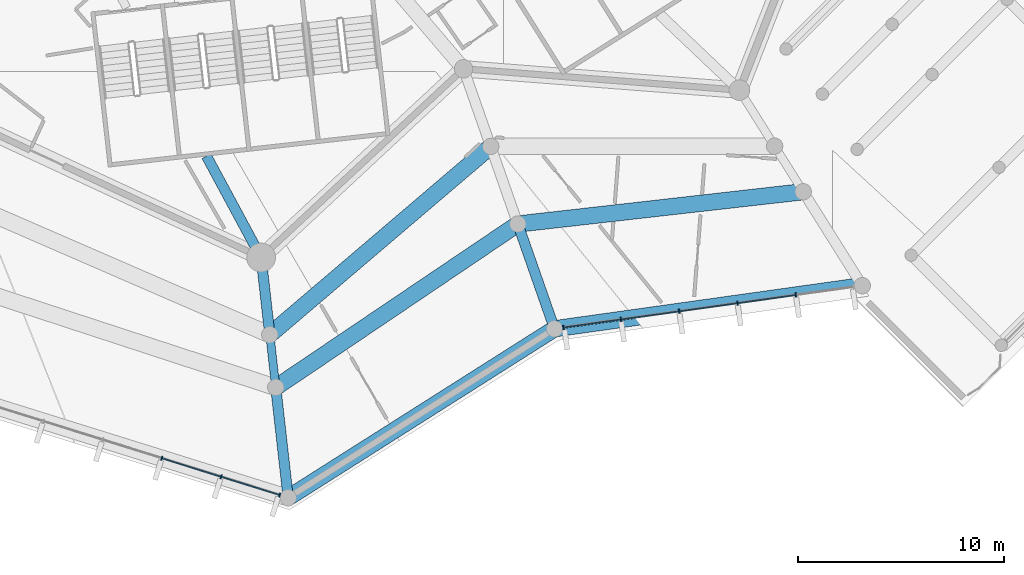
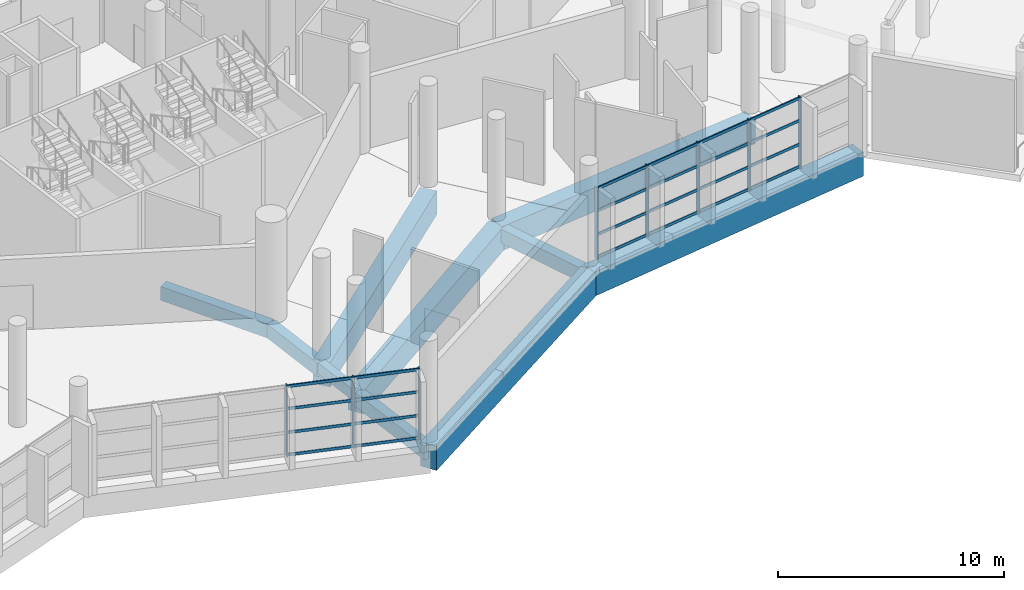
# One storey, part 42 of 271: 32 members, 10 beams, 2 elements without a shape of their own.
"""IFC4 building model written with IfcOpenShell, lengths in metres."""

from ifc_helpers import new_model, si_unit, direction, frame, origin, origin_2d, place, context, subcontext, project, spatial, rectangle, extrude, material, layer, layer_set, material_profile, profile_set, type_object, element, aggregate, save


model = new_model("IFC4")

# Units and contexts
model_context = context("Model", 3, precision=1e-05, world=origin(), true_north=direction((0.0, 1.0)))
body_context = subcontext(model_context, "Body", "Model", "MODEL_VIEW")
ifc_project = project(units=[si_unit("LENGTHUNIT", "METRE"), si_unit("AREAUNIT", "SQUARE_METRE"), si_unit("VOLUMEUNIT", "CUBIC_METRE"), si_unit("PLANEANGLEUNIT", "RADIAN"), si_unit("MASSUNIT", "GRAM", prefix="KILO")], contexts=[model_context])

# Site, building, storey
site_placement = place(None, origin())
site = spatial("IfcSite", under=ifc_project, at=site_placement, CompositionType="ELEMENT")
building_placement = place(site_placement, origin())
building = spatial("IfcBuilding", under=site, at=building_placement, Name="Meseta Stadium", CompositionType="ELEMENT")
storey_placement = place(building_placement, frame((0.0, 0.0, 6.5)))
storey = spatial("IfcBuildingStorey", under=building, at=storey_placement, Name="L01", CompositionType="ELEMENT", Elevation=6.5)

# Beams
ifc_material_1 = material(Name="Concrete C40/50", Category="concrete")
ifc_material_profile_1 = material_profile(ifc_material_1, rectangle(XDim=0.39990234375, YDim=0.60009765625, at=origin_2d()), Name="RC 400x600")
ifc_profile_set_1 = profile_set([ifc_material_profile_1], Name="Concrete C40/50")
beam_type_1 = type_object("IfcBeamType", Name="RC beam 400x600", PredefinedType="BEAM", material=ifc_profile_set_1)
beam_1_placement = place(storey_placement, frame((52.626220703125, -108.80810546875, -0.64990234375), z_axis=(0.111926742176, -0.99371646076, 0.0), x_axis=(0.99371646076, 0.111926742176, 0.0)))
element("IfcBeam", 1, at=beam_1_placement, inside=storey, type_object=beam_type_1, Name="L01 radial beam frame 50 line M to Q", PredefinedType="BEAM", context=body_context, shape_type="SweptSolid", body=[
    extrude(rectangle(XDim=0.39990234375, YDim=0.60009765625, at=origin_2d()), origin(), (0.0, 0.0, 1.0), 2.580322265625),
])
ifc_material_2 = material(Name="Concrete C40/50", Category="concrete")
ifc_material_profile_2 = material_profile(ifc_material_2, rectangle(XDim=0.5, YDim=0.75, at=origin_2d()), Name="RC 500x750")
ifc_profile_set_2 = profile_set([ifc_material_profile_2], Name="Concrete C40/50")
beam_type_2 = type_object("IfcBeamType", Name="RC beam 500x750", PredefinedType="BEAM", material=ifc_profile_set_2)
beam_2_placement = place(storey_placement, frame((49.54541015625, -100.1181640625, -0.72509765625), z_axis=(0.474227121741, -0.880402542594, 0.0), x_axis=(0.880402542594, 0.474227121741, 0.0)))
element("IfcBeam", 2, at=beam_2_placement, inside=storey, type_object=beam_type_2, Name="L01 radial beam frame 50 line P to R", PredefinedType="BEAM", context=body_context, shape_type="SweptSolid", body=[
    extrude(rectangle(XDim=0.5, YDim=0.75, at=origin_2d()), origin(), (0.0, 0.0, 1.0), 5.603759765625),
])
beam_3_placement = place(storey_placement, frame((52.202880859375, -105.0517578125, -0.72509765625), z_axis=(0.111990888536, -0.993709233571, 0.0), x_axis=(0.993709233571, 0.111990888536, 0.0)))
element("IfcBeam", 3, at=beam_3_placement, inside=storey, type_object=beam_type_2, Name="L01 radial beam frame 50 line R to M", PredefinedType="BEAM", context=body_context, shape_type="SweptSolid", body=[
    extrude(rectangle(XDim=0.5, YDim=0.75, at=origin_2d()), origin(), (0.0, 0.0, 1.0), 3.780029296875),
])
for number, where, z_axis, x_axis, name in (
    (4, (52.9150390625, -111.372314453125, -0.72509765625), (0.111944897098, -0.993714415722, 0.0), (0.993714415722, 0.111944897098, 0.0), "L01 radial beam frame 50 line Q to O"),
    (5, (64.69384765625, -103.423828125, -0.72509765625), (0.330271882003, -0.943885842652, 0.0), (0.943885842652, 0.330271882003, 0.0), "L01 radial beam frame 51 line Q to O"),
):
    element("IfcBeam", number, at=place(storey_placement, frame(where, z_axis=z_axis, x_axis=x_axis)), inside=storey, type_object=beam_type_2, Name=name, PredefinedType="BEAM", context=body_context, shape_type="SweptSolid", body=[
        extrude(rectangle(XDim=0.5, YDim=0.75, at=origin_2d()), origin(), (0.0, 0.0, 1.0), 5.39990234375),
    ])
ifc_material_3 = material(Name="Concrete C40/50", Category="concrete")
ifc_material_profile_3 = material_profile(ifc_material_3, rectangle(XDim=0.800048828125, YDim=1.300048828125, at=origin_2d()), Name="RC 800x1300")
ifc_profile_set_3 = profile_set([ifc_material_profile_3], Name="Concrete C40/50")
beam_type_3 = type_object("IfcBeamType", Name="RC beam 800x1300", PredefinedType="BEAM", material=ifc_profile_set_3)
beam_4_placement = place(storey_placement, frame((52.626220703125, -108.80810546875, -1.0), z_axis=(0.761053850743, 0.648688705212, 0.0), x_axis=(-0.648688705212, 0.761053850743, 0.0)))
element("IfcBeam", 6, at=beam_4_placement, inside=storey, type_object=beam_type_3, Name="L01 ring beam frame 50 line M", PredefinedType="BEAM", context=body_context, shape_type="SweptSolid", body=[
    extrude(rectangle(XDim=0.800048828125, YDim=1.300048828125, at=origin_2d()), origin(), (0.0, 0.0, 1.0), 14.12060546875),
])
beam_5_placement = place(storey_placement, frame((52.9150390625, -111.372314453125, -1.0), z_axis=(0.828920770395, 0.559366030795, 0.0), x_axis=(-0.559366030795, 0.828920770395, 0.0)))
element("IfcBeam", 7, at=beam_5_placement, inside=storey, type_object=beam_type_3, Name="L01 ring beam frame 50 line Q", PredefinedType="BEAM", context=body_context, shape_type="SweptSolid", body=[
    extrude(rectangle(XDim=0.800048828125, YDim=1.300048828125, at=origin_2d()), origin(), (0.0, 0.0, 1.0), 14.209716796875),
])
beam_6_placement = place(storey_placement, frame((53.51953125, -116.73828125, -1.0), z_axis=(0.844496467493, 0.535561122927, 0.0), x_axis=(-0.535561122927, 0.844496467493, 0.0)))
element("IfcBeam", 8, at=beam_6_placement, inside=storey, type_object=beam_type_3, Name="L01 ring beam frame 50 line O", PredefinedType="BEAM", context=body_context, shape_type="SweptSolid", body=[
    extrude(rectangle(XDim=0.800048828125, YDim=1.300048828125, at=origin_2d()), origin(), (0.0, 0.0, 1.0), 15.34375),
])
beam_7_placement = place(storey_placement, frame((64.69384765625, -103.423828125, -1.0), z_axis=(0.993653668283, 0.112482832054, 0.0), x_axis=(-0.112482832054, 0.993653668283, 0.0)))
element("IfcBeam", 9, at=beam_7_placement, inside=storey, type_object=beam_type_3, Name="L01 ring beam frame 51 line Q", PredefinedType="BEAM", context=body_context, shape_type="SweptSolid", body=[
    extrude(rectangle(XDim=0.800048828125, YDim=1.300048828125, at=origin_2d()), origin(), (0.0, 0.0, 1.0), 13.9755859375),
])
beam_8_placement = place(storey_placement, frame((66.477294921875, -108.520751953125, -1.0), z_axis=(0.990344007641, 0.138631693814, 0.0), x_axis=(-0.138631693814, 0.990344007641, 0.0)))
element("IfcBeam", 10, at=beam_8_placement, inside=storey, type_object=beam_type_3, Name="L01 ring beam frame 51 line O", PredefinedType="BEAM", context=body_context, shape_type="SweptSolid", body=[
    extrude(rectangle(XDim=0.800048828125, YDim=1.300048828125, at=origin_2d()), origin(), (0.0, 0.0, 1.0), 15.122314453125),
])

# Curtain wall, members
ifc_material_4 = material(Name="Aluminium", Category="aluminium")
ifc_layer = layer(ifc_material_4, 0.199951171875)
ifc_layer_set = layer_set([ifc_layer], Name="Ring shopfront curtain wall")
curtain_wall_type = type_object("IfcCurtainWallType", Name="Ring shopfront curtain wall", PredefinedType="NOTDEFINED", material=ifc_layer_set)
curtain_wall_1_placement = place(storey_placement, origin())
curtain_wall_1 = element("IfcCurtainWall", 11, at=curtain_wall_1_placement, inside=storey, type_object=curtain_wall_type, Name="Ring glazing L01 F49", PredefinedType="NOTDEFINED")
ifc_material_5 = material(Name="Aluminium", Category="aluminium")
ifc_material_profile_4 = material_profile(ifc_material_5, rectangle(XDim=0.199951171875, YDim=0.06005859375, at=origin_2d()), Name="CW 200x60")
ifc_profile_set_4 = profile_set([ifc_material_profile_4], Name="Aluminium")
member_type_1 = type_object("IfcMemberType", Name="Ring CW mullion 60x200", PredefinedType="MULLION", material=ifc_profile_set_4)
member_1_placement = place(storey_placement, frame((47.36865234375, -114.8193359375, 0.0), z_axis=(0.0, 0.0, 1.0), x_axis=(0.297861157885, 0.95460920309, 0.0)))
member_1 = element("IfcMember", 12, at=member_1_placement, type_object=member_type_1, Name="CWR1 mullion 4", PredefinedType="MULLION", context=body_context, shape_type="SweptSolid", body=[
    extrude(rectangle(XDim=0.199951171875, YDim=0.06005859375, at=origin_2d()), origin(), (0.0, 0.0, 1.0), 3.85009765625),
])
member_2_placement = place(storey_placement, frame((50.253173828125, -115.71923828125, 0.0), z_axis=(0.0, 0.0, 1.0), x_axis=(0.297861157885, 0.95460920309, 0.0)))
member_2 = element("IfcMember", 13, at=member_2_placement, type_object=member_type_1, Name="CWR1 mullion 5", PredefinedType="MULLION", context=body_context, shape_type="SweptSolid", body=[
    extrude(rectangle(XDim=0.199951171875, YDim=0.06005859375, at=origin_2d()), origin(), (0.0, 0.0, 1.0), 3.85009765625),
])
member_3_placement = place(storey_placement, frame((53.109130859375, -116.6103515625, 0.0), z_axis=(0.0, 0.0, 1.0), x_axis=(0.297861157885, 0.95460920309, 0.0)))
member_3 = element("IfcMember", 14, at=member_3_placement, type_object=member_type_1, Name="CWR1 mullion 6", PredefinedType="MULLION", context=body_context, shape_type="SweptSolid", body=[
    extrude(rectangle(XDim=0.199951171875, YDim=0.06005859375, at=origin_2d()), origin(), (0.0, 0.0, 1.0), 3.85009765625),
])

curtain_wall_2_placement = place(storey_placement, origin())
curtain_wall_2 = element("IfcCurtainWall", 15, at=curtain_wall_2_placement, inside=storey, type_object=curtain_wall_type, Name="Ring glazing L01 F51", PredefinedType="NOTDEFINED")
member_4_placement = place(storey_placement, frame((66.903076171875, -108.461181640625, 0.0), z_axis=(0.0, 0.0, 1.0), x_axis=(-0.13864277713, 0.990342456098, 0.0)))
member_4 = element("IfcMember", 16, at=member_4_placement, type_object=member_type_1, Name="CWR1 mullion 1", PredefinedType="MULLION", context=body_context, shape_type="SweptSolid", body=[
    extrude(rectangle(XDim=0.199951171875, YDim=0.06005859375, at=origin_2d()), origin(), (0.0, 0.0, 1.0), 3.85009765625),
])
member_5_placement = place(storey_placement, frame((69.710205078125, -108.068115234375, 0.0), z_axis=(0.0, 0.0, 1.0), x_axis=(-0.13864277713, 0.990342456098, 0.0)))
member_5 = element("IfcMember", 17, at=member_5_placement, type_object=member_type_1, Name="CWR1 mullion 2", PredefinedType="MULLION", context=body_context, shape_type="SweptSolid", body=[
    extrude(rectangle(XDim=0.199951171875, YDim=0.06005859375, at=origin_2d()), origin(), (0.0, 0.0, 1.0), 3.85009765625),
])
member_6_placement = place(storey_placement, frame((72.547119140625, -107.6708984375, 0.0), z_axis=(0.0, 0.0, 1.0), x_axis=(-0.13864277713, 0.990342456098, 0.0)))
member_6 = element("IfcMember", 18, at=member_6_placement, type_object=member_type_1, Name="CWR1 mullion 3", PredefinedType="MULLION", context=body_context, shape_type="SweptSolid", body=[
    extrude(rectangle(XDim=0.199951171875, YDim=0.06005859375, at=origin_2d()), origin(), (0.0, 0.0, 1.0), 3.85009765625),
])
member_7_placement = place(storey_placement, frame((75.3837890625, -107.27392578125, 0.0), z_axis=(0.0, 0.0, 1.0), x_axis=(-0.13864277713, 0.990342456098, 0.0)))
member_7 = element("IfcMember", 19, at=member_7_placement, type_object=member_type_1, Name="CWR1 mullion 4", PredefinedType="MULLION", context=body_context, shape_type="SweptSolid", body=[
    extrude(rectangle(XDim=0.199951171875, YDim=0.06005859375, at=origin_2d()), origin(), (0.0, 0.0, 1.0), 3.85009765625),
])
member_8_placement = place(storey_placement, frame((78.220703125, -106.876708984375, 0.0), z_axis=(0.0, 0.0, 1.0), x_axis=(-0.13864277713, 0.990342456098, 0.0)))
member_8 = element("IfcMember", 20, at=member_8_placement, type_object=member_type_1, Name="CWR1 mullion 5", PredefinedType="MULLION", context=body_context, shape_type="SweptSolid", body=[
    extrude(rectangle(XDim=0.199951171875, YDim=0.06005859375, at=origin_2d()), origin(), (0.0, 0.0, 1.0), 3.85009765625),
])

# Member
ifc_material_6 = material(Name="Aluminium", Category="aluminium")
ifc_material_profile_5 = material_profile(ifc_material_6, rectangle(XDim=0.06005859375, YDim=0.14990234375, at=origin_2d()), Name="CW 60x150")
ifc_profile_set_5 = profile_set([ifc_material_profile_5], Name="Aluminium")
member_type_2 = type_object("IfcMemberType", Name="Ring CW transom 60x150", PredefinedType="USERDEFINED", material=ifc_profile_set_5)
member_9_placement = place(storey_placement, frame((47.3974609375, -114.828125, 0.074951171875), z_axis=(0.954614829799, -0.297843124358, 0.0), x_axis=(0.297843124358, 0.954614829799, 0.0)))
member_9 = element("IfcMember", 21, at=member_9_placement, type_object=member_type_2, Name="CWR1 transom 4.1", ObjectType="TRANSOM", PredefinedType="USERDEFINED", context=body_context, shape_type="SweptSolid", body=[
    extrude(rectangle(XDim=0.06005859375, YDim=0.14990234375, at=origin_2d()), origin(), (0.0, 0.0, 1.0), 2.961669921875),
])

member_10_placement = place(storey_placement, frame((47.3974609375, -114.828125, 1.283447265625), z_axis=(0.954614829799, -0.297843124358, 0.0), x_axis=(0.297843124358, 0.954614829799, 0.0)))
member_10 = element("IfcMember", 22, at=member_10_placement, type_object=member_type_2, Name="CWR1 transom 4.2", ObjectType="TRANSOM", PredefinedType="USERDEFINED", context=body_context, shape_type="SweptSolid", body=[
    extrude(rectangle(XDim=0.06005859375, YDim=0.14990234375, at=origin_2d()), origin(), (0.0, 0.0, 1.0), 2.961669921875),
])

member_11_placement = place(storey_placement, frame((47.3974609375, -114.828125, 2.566650390625), z_axis=(0.954614829799, -0.297843124358, 0.0), x_axis=(0.297843124358, 0.954614829799, 0.0)))
member_11 = element("IfcMember", 23, at=member_11_placement, type_object=member_type_2, Name="CWR1 transom 4.3", ObjectType="TRANSOM", PredefinedType="USERDEFINED", context=body_context, shape_type="SweptSolid", body=[
    extrude(rectangle(XDim=0.06005859375, YDim=0.14990234375, at=origin_2d()), origin(), (0.0, 0.0, 1.0), 2.961669921875),
])

member_12_placement = place(storey_placement, frame((47.3974609375, -114.828125, 3.77490234375), z_axis=(0.954614829799, -0.297843124358, 0.0), x_axis=(0.297843124358, 0.954614829799, 0.0)))
member_12 = element("IfcMember", 24, at=member_12_placement, type_object=member_type_2, Name="CWR1 transom 4.4", ObjectType="TRANSOM", PredefinedType="USERDEFINED", context=body_context, shape_type="SweptSolid", body=[
    extrude(rectangle(XDim=0.06005859375, YDim=0.14990234375, at=origin_2d()), origin(), (0.0, 0.0, 1.0), 2.961669921875),
])

member_13_placement = place(storey_placement, frame((50.281982421875, -115.728271484375, 0.074951171875), z_axis=(0.954626563938, -0.297805512749, 0.0), x_axis=(0.297805512749, 0.954626563938, 0.0)))
member_13 = element("IfcMember", 25, at=member_13_placement, type_object=member_type_2, Name="CWR1 transom 5.1", ObjectType="TRANSOM", PredefinedType="USERDEFINED", context=body_context, shape_type="SweptSolid", body=[
    extrude(rectangle(XDim=0.06005859375, YDim=0.14990234375, at=origin_2d()), origin(), (0.0, 0.0, 1.0), 2.931640625),
])

member_14_placement = place(storey_placement, frame((50.281982421875, -115.728271484375, 1.283447265625), z_axis=(0.954626563938, -0.297805512749, 0.0), x_axis=(0.297805512749, 0.954626563938, 0.0)))
member_14 = element("IfcMember", 26, at=member_14_placement, type_object=member_type_2, Name="CWR1 transom 5.2", ObjectType="TRANSOM", PredefinedType="USERDEFINED", context=body_context, shape_type="SweptSolid", body=[
    extrude(rectangle(XDim=0.06005859375, YDim=0.14990234375, at=origin_2d()), origin(), (0.0, 0.0, 1.0), 2.931640625),
])

member_15_placement = place(storey_placement, frame((50.281982421875, -115.728271484375, 2.566650390625), z_axis=(0.954626563938, -0.297805512749, 0.0), x_axis=(0.297805512749, 0.954626563938, 0.0)))
member_15 = element("IfcMember", 27, at=member_15_placement, type_object=member_type_2, Name="CWR1 transom 5.3", ObjectType="TRANSOM", PredefinedType="USERDEFINED", context=body_context, shape_type="SweptSolid", body=[
    extrude(rectangle(XDim=0.06005859375, YDim=0.14990234375, at=origin_2d()), origin(), (0.0, 0.0, 1.0), 2.931640625),
])

member_16_placement = place(storey_placement, frame((50.281982421875, -115.728271484375, 3.77490234375), z_axis=(0.954626563938, -0.297805512749, 0.0), x_axis=(0.297805512749, 0.954626563938, 0.0)))
member_16 = element("IfcMember", 28, at=member_16_placement, type_object=member_type_2, Name="CWR1 transom 5.4", ObjectType="TRANSOM", PredefinedType="USERDEFINED", context=body_context, shape_type="SweptSolid", body=[
    extrude(rectangle(XDim=0.06005859375, YDim=0.14990234375, at=origin_2d()), origin(), (0.0, 0.0, 1.0), 2.931640625),
])

aggregate(curtain_wall_1, [member_1, member_2, member_3, member_9, member_10, member_11, member_12, member_13, member_14, member_15, member_16])

member_17_placement = place(storey_placement, frame((66.932861328125, -108.45703125, 0.074951171875), z_axis=(0.990336429435, 0.138685819512, 0.0), x_axis=(-0.138685819512, 0.990336429435, 0.0)))
member_17 = element("IfcMember", 29, at=member_17_placement, type_object=member_type_2, Name="CWR1 transom 1.1", ObjectType="TRANSOM", PredefinedType="USERDEFINED", context=body_context, shape_type="SweptSolid", body=[
    extrude(rectangle(XDim=0.06005859375, YDim=0.14990234375, at=origin_2d()), origin(), (0.0, 0.0, 1.0), 2.7744140625),
])

member_18_placement = place(storey_placement, frame((66.932861328125, -108.45703125, 1.283447265625), z_axis=(0.990336429435, 0.138685819512, 0.0), x_axis=(-0.138685819512, 0.990336429435, 0.0)))
member_18 = element("IfcMember", 30, at=member_18_placement, type_object=member_type_2, Name="CWR1 transom 1.2", ObjectType="TRANSOM", PredefinedType="USERDEFINED", context=body_context, shape_type="SweptSolid", body=[
    extrude(rectangle(XDim=0.06005859375, YDim=0.14990234375, at=origin_2d()), origin(), (0.0, 0.0, 1.0), 2.7744140625),
])

member_19_placement = place(storey_placement, frame((66.932861328125, -108.45703125, 2.566650390625), z_axis=(0.990336429435, 0.138685819512, 0.0), x_axis=(-0.138685819512, 0.990336429435, 0.0)))
member_19 = element("IfcMember", 31, at=member_19_placement, type_object=member_type_2, Name="CWR1 transom 1.3", ObjectType="TRANSOM", PredefinedType="USERDEFINED", context=body_context, shape_type="SweptSolid", body=[
    extrude(rectangle(XDim=0.06005859375, YDim=0.14990234375, at=origin_2d()), origin(), (0.0, 0.0, 1.0), 2.7744140625),
])

member_20_placement = place(storey_placement, frame((66.932861328125, -108.45703125, 3.77490234375), z_axis=(0.990336429435, 0.138685819512, 0.0), x_axis=(-0.138685819512, 0.990336429435, 0.0)))
member_20 = element("IfcMember", 32, at=member_20_placement, type_object=member_type_2, Name="CWR1 transom 1.4", ObjectType="TRANSOM", PredefinedType="USERDEFINED", context=body_context, shape_type="SweptSolid", body=[
    extrude(rectangle(XDim=0.06005859375, YDim=0.14990234375, at=origin_2d()), origin(), (0.0, 0.0, 1.0), 2.7744140625),
])

member_21_placement = place(storey_placement, frame((69.739990234375, -108.06396484375, 0.074951171875), z_axis=(0.990349395442, 0.138593199503, 0.0), x_axis=(-0.138593199503, 0.990349395442, 0.0)))
member_21 = element("IfcMember", 33, at=member_21_placement, type_object=member_type_2, Name="CWR1 transom 2.1", ObjectType="TRANSOM", PredefinedType="USERDEFINED", context=body_context, shape_type="SweptSolid", body=[
    extrude(rectangle(XDim=0.06005859375, YDim=0.14990234375, at=origin_2d()), origin(), (0.0, 0.0, 1.0), 2.804443359375),
])

member_22_placement = place(storey_placement, frame((69.739990234375, -108.06396484375, 1.283447265625), z_axis=(0.990349395442, 0.138593199503, 0.0), x_axis=(-0.138593199503, 0.990349395442, 0.0)))
member_22 = element("IfcMember", 34, at=member_22_placement, type_object=member_type_2, Name="CWR1 transom 2.2", ObjectType="TRANSOM", PredefinedType="USERDEFINED", context=body_context, shape_type="SweptSolid", body=[
    extrude(rectangle(XDim=0.06005859375, YDim=0.14990234375, at=origin_2d()), origin(), (0.0, 0.0, 1.0), 2.804443359375),
])

member_23_placement = place(storey_placement, frame((69.739990234375, -108.06396484375, 2.566650390625), z_axis=(0.990349395442, 0.138593199503, 0.0), x_axis=(-0.138593199503, 0.990349395442, 0.0)))
member_23 = element("IfcMember", 35, at=member_23_placement, type_object=member_type_2, Name="CWR1 transom 2.3", ObjectType="TRANSOM", PredefinedType="USERDEFINED", context=body_context, shape_type="SweptSolid", body=[
    extrude(rectangle(XDim=0.06005859375, YDim=0.14990234375, at=origin_2d()), origin(), (0.0, 0.0, 1.0), 2.804443359375),
])

member_24_placement = place(storey_placement, frame((69.739990234375, -108.06396484375, 3.77490234375), z_axis=(0.990349395442, 0.138593199503, 0.0), x_axis=(-0.138593199503, 0.990349395442, 0.0)))
member_24 = element("IfcMember", 36, at=member_24_placement, type_object=member_type_2, Name="CWR1 transom 2.4", ObjectType="TRANSOM", PredefinedType="USERDEFINED", context=body_context, shape_type="SweptSolid", body=[
    extrude(rectangle(XDim=0.06005859375, YDim=0.14990234375, at=origin_2d()), origin(), (0.0, 0.0, 1.0), 2.804443359375),
])

member_25_placement = place(storey_placement, frame((72.57666015625, -107.666748046875, 0.074951171875), z_axis=(0.990351067404, 0.138581251587, 0.0), x_axis=(-0.138581251587, 0.990351067404, 0.0)))
member_25 = element("IfcMember", 37, at=member_25_placement, type_object=member_type_2, Name="CWR1 transom 3.1", ObjectType="TRANSOM", PredefinedType="USERDEFINED", context=body_context, shape_type="SweptSolid", body=[
    extrude(rectangle(XDim=0.06005859375, YDim=0.14990234375, at=origin_2d()), origin(), (0.0, 0.0, 1.0), 2.8046875),
])

member_26_placement = place(storey_placement, frame((72.57666015625, -107.666748046875, 1.283447265625), z_axis=(0.990351067404, 0.138581251587, 0.0), x_axis=(-0.138581251587, 0.990351067404, 0.0)))
member_26 = element("IfcMember", 38, at=member_26_placement, type_object=member_type_2, Name="CWR1 transom 3.2", ObjectType="TRANSOM", PredefinedType="USERDEFINED", context=body_context, shape_type="SweptSolid", body=[
    extrude(rectangle(XDim=0.06005859375, YDim=0.14990234375, at=origin_2d()), origin(), (0.0, 0.0, 1.0), 2.8046875),
])

member_27_placement = place(storey_placement, frame((72.57666015625, -107.666748046875, 2.566650390625), z_axis=(0.990351067404, 0.138581251587, 0.0), x_axis=(-0.138581251587, 0.990351067404, 0.0)))
member_27 = element("IfcMember", 39, at=member_27_placement, type_object=member_type_2, Name="CWR1 transom 3.3", ObjectType="TRANSOM", PredefinedType="USERDEFINED", context=body_context, shape_type="SweptSolid", body=[
    extrude(rectangle(XDim=0.06005859375, YDim=0.14990234375, at=origin_2d()), origin(), (0.0, 0.0, 1.0), 2.8046875),
])

member_28_placement = place(storey_placement, frame((72.57666015625, -107.666748046875, 3.77490234375), z_axis=(0.990351067404, 0.138581251587, 0.0), x_axis=(-0.138581251587, 0.990351067404, 0.0)))
member_28 = element("IfcMember", 40, at=member_28_placement, type_object=member_type_2, Name="CWR1 transom 3.4", ObjectType="TRANSOM", PredefinedType="USERDEFINED", context=body_context, shape_type="SweptSolid", body=[
    extrude(rectangle(XDim=0.06005859375, YDim=0.14990234375, at=origin_2d()), origin(), (0.0, 0.0, 1.0), 2.8046875),
])

member_29_placement = place(storey_placement, frame((75.41357421875, -107.269775390625, 0.074951171875), z_axis=(0.99033744297, 0.138678581808, 0.0), x_axis=(-0.138678581808, 0.99033744297, 0.0)))
member_29 = element("IfcMember", 41, at=member_29_placement, type_object=member_type_2, Name="CWR1 transom 4.1", ObjectType="TRANSOM", PredefinedType="USERDEFINED", context=body_context, shape_type="SweptSolid", body=[
    extrude(rectangle(XDim=0.06005859375, YDim=0.14990234375, at=origin_2d()), origin(), (0.0, 0.0, 1.0), 2.804443359375),
])

member_30_placement = place(storey_placement, frame((75.41357421875, -107.269775390625, 1.283447265625), z_axis=(0.99033744297, 0.138678581808, 0.0), x_axis=(-0.138678581808, 0.99033744297, 0.0)))
member_30 = element("IfcMember", 42, at=member_30_placement, type_object=member_type_2, Name="CWR1 transom 4.2", ObjectType="TRANSOM", PredefinedType="USERDEFINED", context=body_context, shape_type="SweptSolid", body=[
    extrude(rectangle(XDim=0.06005859375, YDim=0.14990234375, at=origin_2d()), origin(), (0.0, 0.0, 1.0), 2.804443359375),
])

member_31_placement = place(storey_placement, frame((75.41357421875, -107.269775390625, 2.566650390625), z_axis=(0.99033744297, 0.138678581808, 0.0), x_axis=(-0.138678581808, 0.99033744297, 0.0)))
member_31 = element("IfcMember", 43, at=member_31_placement, type_object=member_type_2, Name="CWR1 transom 4.3", ObjectType="TRANSOM", PredefinedType="USERDEFINED", context=body_context, shape_type="SweptSolid", body=[
    extrude(rectangle(XDim=0.06005859375, YDim=0.14990234375, at=origin_2d()), origin(), (0.0, 0.0, 1.0), 2.804443359375),
])

member_32_placement = place(storey_placement, frame((75.41357421875, -107.269775390625, 3.77490234375), z_axis=(0.99033744297, 0.138678581808, 0.0), x_axis=(-0.138678581808, 0.99033744297, 0.0)))
member_32 = element("IfcMember", 44, at=member_32_placement, type_object=member_type_2, Name="CWR1 transom 4.4", ObjectType="TRANSOM", PredefinedType="USERDEFINED", context=body_context, shape_type="SweptSolid", body=[
    extrude(rectangle(XDim=0.06005859375, YDim=0.14990234375, at=origin_2d()), origin(), (0.0, 0.0, 1.0), 2.804443359375),
])

aggregate(curtain_wall_2, [member_4, member_5, member_6, member_7, member_8, member_17, member_18, member_19, member_20, member_21, member_22, member_23, member_24, member_25, member_26, member_27, member_28, member_29, member_30, member_31, member_32])

save(model, "model.ifc")
